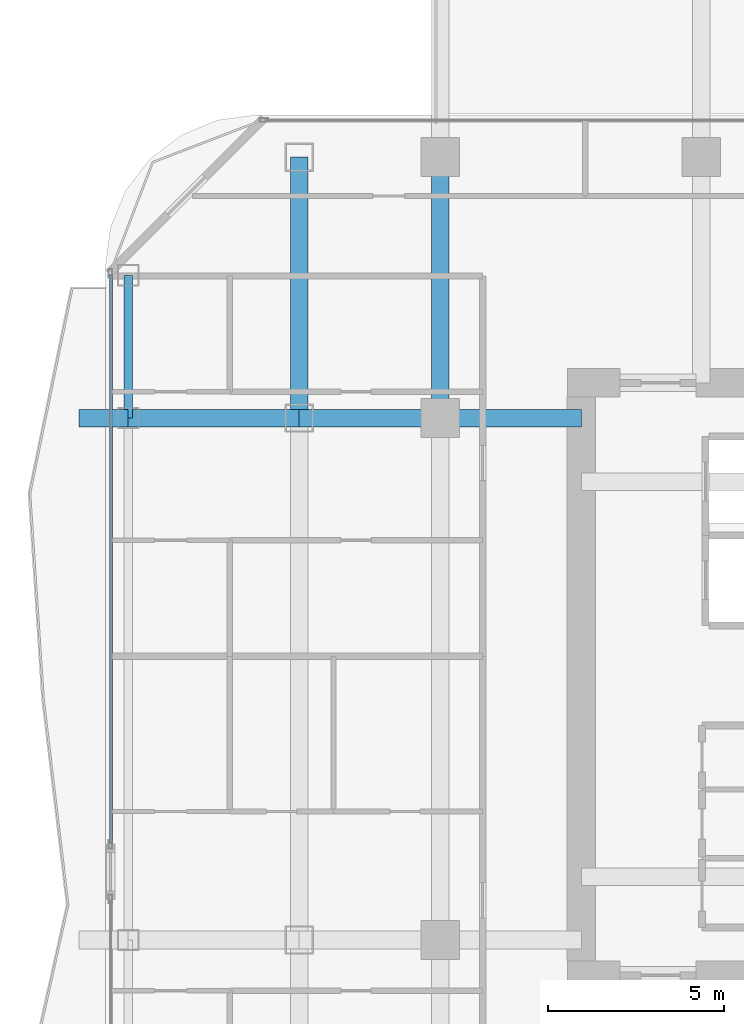
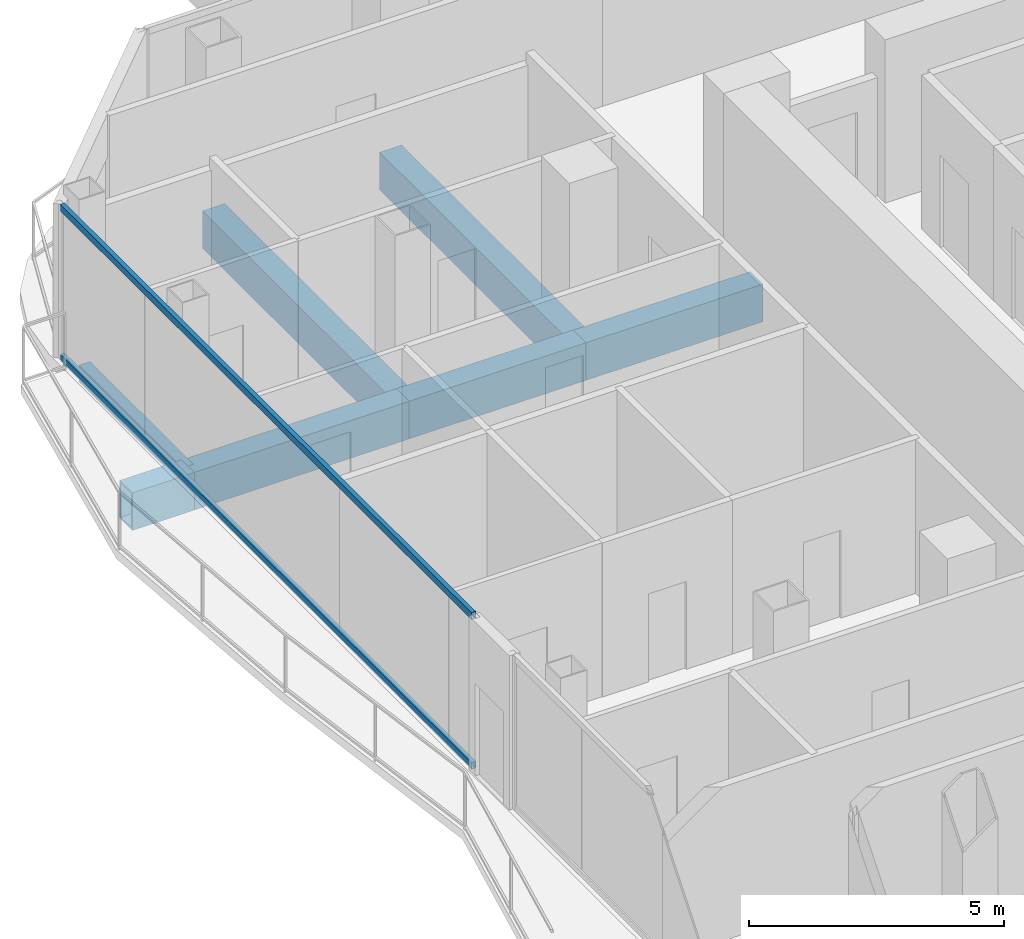
# One storey, part 10 of 24: 7 beams, 2 members, 1 element without a shape of its own.
"""IFC4 building model written with IfcOpenShell, lengths in metres."""

from ifc_helpers import new_model, si_unit, direction, frame, origin, origin_2d, place, context, subcontext, project, spatial, hollow_rectangle, extrude, material, layer, layer_set, material_profile, profile_set, type_object, element, aggregate, save


model = new_model("IFC4")

# Units and contexts
model_context = context("Model", 3, precision=1e-05, world=origin(), true_north=direction((0.0, 1.0)))
body_context = subcontext(model_context, "Body", "Model", "MODEL_VIEW")
ifc_project = project(units=[si_unit("LENGTHUNIT", "METRE"), si_unit("AREAUNIT", "SQUARE_METRE"), si_unit("VOLUMEUNIT", "CUBIC_METRE"), si_unit("PLANEANGLEUNIT", "RADIAN"), si_unit("MASSUNIT", "GRAM", prefix="KILO")], contexts=[model_context])

# Site, building, storey
site_placement = place(None, origin())
site = spatial("IfcSite", under=ifc_project, at=site_placement, CompositionType="ELEMENT")
building_placement = place(site_placement, origin())
building = spatial("IfcBuilding", under=site, at=building_placement, Name="Khorvyn Point Tower", CompositionType="ELEMENT")
storey_placement = place(building_placement, frame((0.0, 0.0, 191.39990234375)))
storey = spatial("IfcBuildingStorey", under=building, at=storey_placement, Name="L47", CompositionType="ELEMENT", Elevation=191.39990234375)

# Curtain wall, members
ifc_material_1 = material(Name="Anodised aluminium 6063-T6 and laminated Low-E glass", Category="aluminium")
ifc_layer = layer(ifc_material_1, 0.18994140625)
ifc_layer_set = layer_set([ifc_layer], Name="Stick-Built Acoustic Curtain Wall CW-SYS-03")
curtain_wall_type = type_object("IfcCurtainWallType", Name="Stick-Built Acoustic Curtain Wall CW-SYS-03", PredefinedType="NOTDEFINED", material=ifc_layer_set)
curtain_wall_placement = place(storey_placement, origin())
curtain_wall = element("IfcCurtainWall", 1, at=curtain_wall_placement, inside=storey, type_object=curtain_wall_type, Name="Curtain Wall", PredefinedType="NOTDEFINED")
ifc_material_2 = material(Name="Anodised aluminium 6063-T6", Category="aluminium")
ifc_material_profile_1 = material_profile(ifc_material_2, hollow_rectangle(XDim=0.10009765625, YDim=0.159912109375, WallThickness=0.00439453125, at=origin_2d()))
ifc_profile_set_1 = profile_set([ifc_material_profile_1], Name="Anodised aluminium 6063-T6 ALU-TRN-100x160")
member_type = type_object("IfcMemberType", Name="Anodised Aluminium 6063-T6 Transom ALU-TRN-100x160", PredefinedType="USERDEFINED", material=ifc_profile_set_1)
member_1_placement = place(storey_placement, frame((-24.14990234375, -4.64404296875, 0.050048828125), z_axis=(0.0, 1.0, 0.0), x_axis=(-1.0, 0.0, 0.0)))
member_1 = element("IfcMember", 2, at=member_1_placement, type_object=member_type, Name="Transom", ObjectType="TRANSOM", PredefinedType="USERDEFINED", context=body_context, shape_type="SweptSolid", body=[
    extrude(hollow_rectangle(XDim=0.10009765625, YDim=0.159912109375, WallThickness=0.00439453125, at=origin_2d()), origin(), (0.0, 0.0, 1.0), 16.093994140625),
])
member_2_placement = place(storey_placement, frame((-24.14990234375, -4.64404296875, 3.630126953125), z_axis=(0.0, 1.0, 0.0), x_axis=(-1.0, 0.0, 0.0)))
member_2 = element("IfcMember", 3, at=member_2_placement, type_object=member_type, Name="Transom", ObjectType="TRANSOM", PredefinedType="USERDEFINED", context=body_context, shape_type="SweptSolid", body=[
    extrude(hollow_rectangle(XDim=0.10009765625, YDim=0.159912109375, WallThickness=0.00439453125, at=origin_2d()), origin(), (0.0, 0.0, 1.0), 16.093994140625),
])
aggregate(curtain_wall, [member_1, member_2])

# Beams
ifc_material_3 = material(Name="Steel S355", Category="steel")
ifc_material_profile_2 = material_profile(ifc_material_3, hollow_rectangle(XDim=0.25, YDim=0.39990234375, WallThickness=0.01611328125, at=origin_2d()))
ifc_profile_set_2 = profile_set([ifc_material_profile_2], Name="Steel S355 RHS400x250x16")
beam_type_1 = type_object("IfcBeamType", Name="Steel S355 Spandrel RHS400x250x16", PredefinedType="SPANDREL", material=ifc_profile_set_2)
beam_1_placement = place(storey_placement, frame((-23.64990234375, 7.39990234375, -0.47998046875), z_axis=(0.0, 1.0, 0.0), x_axis=(-1.0, 0.0, 0.0)))
element("IfcBeam", 4, at=beam_1_placement, inside=storey, type_object=beam_type_1, Name="Beam", PredefinedType="SPANDREL", context=body_context, shape_type="SweptSolid", body=[
    extrude(hollow_rectangle(XDim=0.25, YDim=0.39990234375, WallThickness=0.01611328125, at=origin_2d()), origin(), (0.0, 0.0, 1.0), 4.050048828125),
])
ifc_material_4 = material(Name="Steel S450", Category="steel")
ifc_material_profile_3 = material_profile(ifc_material_4, hollow_rectangle(XDim=0.5, YDim=0.89990234375, WallThickness=0.0400390625, at=origin_2d()))
ifc_profile_set_3 = profile_set([ifc_material_profile_3], Name="Steel S450 BOX900x500x40")
beam_type_2 = type_object("IfcBeamType", Name="Steel S450 Beam BOX900x500x40", PredefinedType="BEAM", material=ifc_profile_set_3)
beam_2_placement = place(storey_placement, frame((-25.050048828125, 7.39990234375, -0.72998046875), z_axis=(1.0, 0.0, 0.0), x_axis=(0.0, 1.0, 0.0)))
element("IfcBeam", 5, at=beam_2_placement, inside=storey, type_object=beam_type_2, Name="Beam", PredefinedType="BEAM", context=body_context, shape_type="SweptSolid", body=[
    extrude(hollow_rectangle(XDim=0.5, YDim=0.89990234375, WallThickness=0.0400390625, at=origin_2d()), origin(), (0.0, 0.0, 1.0), 1.400146484375),
])
beam_3_placement = place(storey_placement, frame((-23.64990234375, 7.39990234375, -0.72998046875), z_axis=(1.0, 0.0, 0.0), x_axis=(0.0, 1.0, 0.0)))
element("IfcBeam", 6, at=beam_3_placement, inside=storey, type_object=beam_type_2, Name="Beam", PredefinedType="BEAM", context=body_context, shape_type="SweptSolid", body=[
    extrude(hollow_rectangle(XDim=0.5, YDim=0.89990234375, WallThickness=0.0400390625, at=origin_2d()), origin(), (0.0, 0.0, 1.0), 4.849853515625),
])
for number, where, z_axis, x_axis, name in (
    (7, (-18.800048828125, 7.39990234375, -0.72998046875), (1.0, 0.0, 0.0), (0.0, 1.0, 0.0), "Beam"),
    (8, (-14.800048828125, 7.39990234375, -0.72998046875), (1.0, 0.0, 0.0), (0.0, 1.0, 0.0), "Beam"),
):
    element("IfcBeam", number, at=place(storey_placement, frame(where, z_axis=z_axis, x_axis=x_axis)), inside=storey, type_object=beam_type_2, Name=name, PredefinedType="BEAM", context=body_context, shape_type="SweptSolid", body=[
        extrude(hollow_rectangle(XDim=0.5, YDim=0.89990234375, WallThickness=0.0400390625, at=origin_2d()), origin(), (0.0, 0.0, 1.0), 4.0),
    ])
for number, where, z_axis, x_axis, name in (
    (9, (-14.800048828125, 7.39990234375, -0.72998046875), (0.0, 1.0, 0.0), (-1.0, 0.0, 0.0), "L47 Radial Transfer Girder"),
    (10, (-18.800048828125, 7.39990234375, -0.72998046875), (0.0, 1.0, 0.0), (-1.0, 0.0, 0.0), "Beam"),
):
    element("IfcBeam", number, at=place(storey_placement, frame(where, z_axis=z_axis, x_axis=x_axis)), inside=storey, type_object=beam_type_2, Name=name, PredefinedType="BEAM", context=body_context, shape_type="SweptSolid", body=[
        extrude(hollow_rectangle(XDim=0.5, YDim=0.89990234375, WallThickness=0.0400390625, at=origin_2d()), origin(), (0.0, 0.0, 1.0), 7.400146484375),
    ])

save(model, "model.ifc")
